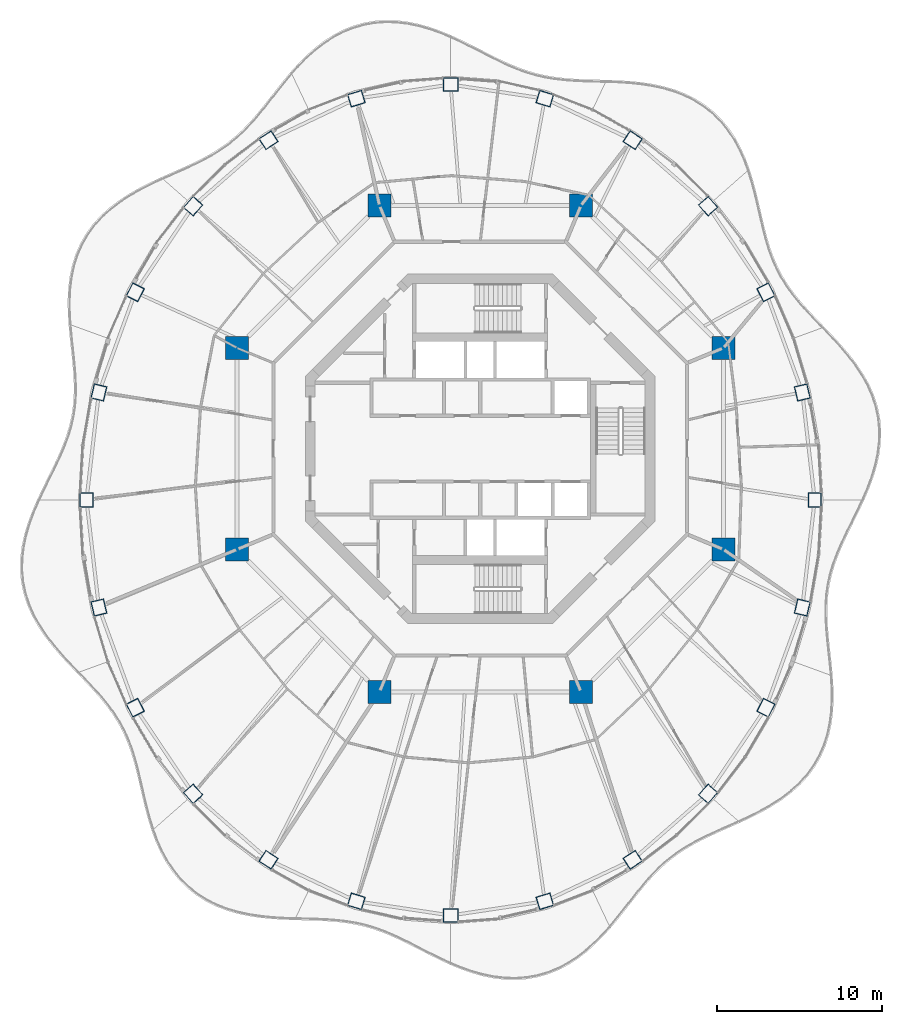
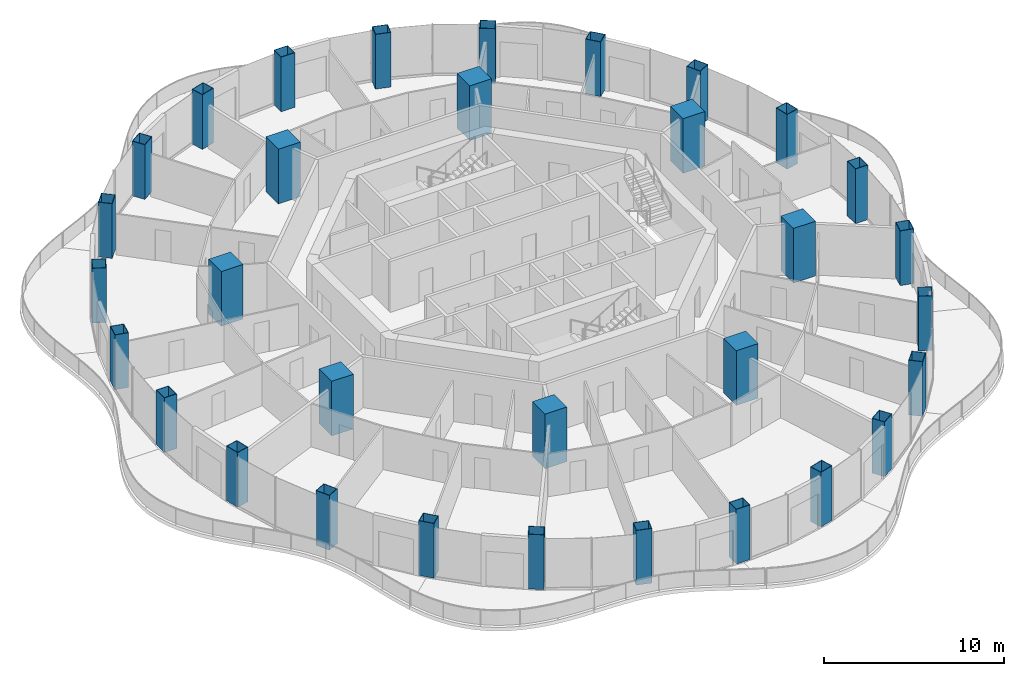
# One storey, part 1 of 17: 32 columns.
"""IFC4 building model written with IfcOpenShell, lengths in metres."""

from ifc_helpers import new_model, si_unit, direction, frame, origin, origin_2d, place, context, subcontext, project, spatial, rectangle, hollow_rectangle, extrude, material, material_profile, profile_set, type_object, element, save


model = new_model("IFC4")

# Units and contexts
model_context = context("Model", 3, precision=1e-05, world=origin(), true_north=direction((0.0, 1.0)))
body_context = subcontext(model_context, "Body", "Model", "MODEL_VIEW")
ifc_project = project(units=[si_unit("LENGTHUNIT", "METRE"), si_unit("AREAUNIT", "SQUARE_METRE"), si_unit("VOLUMEUNIT", "CUBIC_METRE"), si_unit("PLANEANGLEUNIT", "RADIAN"), si_unit("MASSUNIT", "GRAM", prefix="KILO")], contexts=[model_context])

# Site, building, storey
site_placement = place(None, origin())
site = spatial("IfcSite", under=ifc_project, at=site_placement, CompositionType="ELEMENT")
building_placement = place(site_placement, origin())
building = spatial("IfcBuilding", under=site, at=building_placement, Name="Nagisa Residences", CompositionType="ELEMENT")
storey_placement = place(building_placement, frame((0.0, 0.0, 280.699951171875)))
storey = spatial("IfcBuildingStorey", under=building, at=storey_placement, Name="L71", CompositionType="ELEMENT", Elevation=280.699951171875)

# Columns
ifc_material_1 = material(Name="Concrete C80", Category="concrete")
ifc_material_profile_1 = material_profile(ifc_material_1, rectangle(XDim=1.39990234375, YDim=1.39990234375, at=origin_2d()), Name="C80 1400x1400")
ifc_profile_set_1 = profile_set([ifc_material_profile_1], Name="Concrete C80")
column_type_1 = type_object("IfcColumnType", Name="Inner megacolumn C80 1400x1400", PredefinedType="COLUMN", material=ifc_profile_set_1)
for number, where, z_axis, x_axis, name in (
    (1, (14.781982421875, 6.123046875, 0.0), (0.0, 0.0, 1.0), (1.0, 0.0, 0.0), "col:L71:i1"),
    (2, (6.123046875, 14.781982421875, 0.0), (0.0, 0.0, 1.0), (1.0, 0.0, 0.0), "col:L71:i2"),
    (3, (-6.123046875, 14.781982421875, 0.0), (0.0, 0.0, 1.0), (1.0, 0.0, 0.0), "col:L71:i3"),
    (4, (-14.781982421875, 6.123046875, 0.0), (0.0, 0.0, 1.0), (1.0, 0.0, 0.0), "col:L71:i4"),
    (5, (-14.781982421875, -6.123046875, 0.0), (0.0, 0.0, 1.0), (1.0, 0.0, 0.0), "col:L71:i5"),
    (6, (-6.123046875, -14.781982421875, 0.0), (0.0, 0.0, 1.0), (1.0, 0.0, 0.0), "col:L71:i6"),
    (7, (6.123046875, -14.781982421875, 0.0), (0.0, 0.0, 1.0), (1.0, 0.0, 0.0), "col:L71:i7"),
    (8, (14.781982421875, -6.123046875, 0.0), (0.0, 0.0, 1.0), (1.0, 0.0, 0.0), "col:L71:i8"),
):
    element("IfcColumn", number, at=place(storey_placement, frame(where, z_axis=z_axis, x_axis=x_axis)), inside=storey, type_object=column_type_1, Name=name, PredefinedType="COLUMN", context=body_context, shape_type="SweptSolid", body=[
        extrude(rectangle(XDim=1.39990234375, YDim=1.39990234375, at=origin_2d()), origin(), (0.0, 0.0, 1.0), 3.699951171875),
    ])
ifc_material_2 = material(Name="Steel ASTM A572 Gr 50", Category="steel")
ifc_material_profile_2 = material_profile(ifc_material_2, hollow_rectangle(XDim=0.89990234375, YDim=0.800048828125, WallThickness=0.028076171875, at=origin_2d()), Name="BX 900x800x28")
ifc_profile_set_2 = profile_set([ifc_material_profile_2], Name="Steel ASTM A572 Gr 50")
column_type_2 = type_object("IfcColumnType", Name="Perimeter column BX 900x800x28", PredefinedType="COLUMN", material=ifc_profile_set_2)
for number, where, z_axis, x_axis, name in (
    (9, (20.320068359375, -3.11767578125, 0.0), (0.0, 0.0, 1.0), (0.0, 1.0, 0.0), "col:L71:p00"),
    (10, (19.566162109375, 3.414794921875, 0.0), (0.0, 0.0, 1.0), (-0.229202013103, 0.973378876486, 0.0), "col:L71:p01"),
    (11, (17.3564453125, 9.502197265625, 0.0), (0.0, 0.0, 1.0), (-0.452462697578, 0.891783329795, 0.0), "col:L71:p02"),
    (12, (13.84130859375, 14.729736328125, 0.0), (0.0, 0.0, 1.0), (-0.660114607735, 0.751164898445, 0.0), "col:L71:p03"),
    (13, (9.260009765625, 18.74072265625, 0.0), (0.0, 0.0, 1.0), (-0.835766105673, 0.54908561865, 0.0), "col:L71:p04"),
    (14, (3.925048828125, 21.26220703125, 0.0), (0.0, 0.0, 1.0), (-0.956524583408, 0.291651712384, 0.0), "col:L71:p05"),
    (15, (-1.800048828125, 22.122314453125, 0.0), (0.0, 0.0, 1.0), (-1.0, 0.0, 0.0), "col:L71:p06"),
    (16, (-7.525146484375, 21.26220703125, 0.0), (0.0, 0.0, 1.0), (-0.956524583408, -0.291651712384, 0.0), "col:L71:p07"),
    (17, (-12.860107421875, 18.74072265625, 0.0), (0.0, 0.0, 1.0), (-0.835766105673, -0.54908561865, 0.0), "col:L71:p08"),
    (18, (-17.441162109375, 14.729736328125, 0.0), (0.0, 0.0, 1.0), (-0.660114607735, -0.751164898445, 0.0), "col:L71:p09"),
    (19, (-20.95654296875, 9.502197265625, 0.0), (0.0, 0.0, 1.0), (-0.452462697578, -0.891783329795, 0.0), "col:L71:p10"),
    (20, (-23.166259765625, 3.414794921875, 0.0), (0.0, 0.0, 1.0), (-0.229202013103, -0.973378876486, 0.0), "col:L71:p11"),
    (21, (-23.919921875, -3.11767578125, 0.0), (0.0, 0.0, 1.0), (0.0, -1.0, 0.0), "col:L71:p12"),
    (22, (-23.166259765625, -9.650390625, 0.0), (0.0, 0.0, 1.0), (0.229202013103, -0.973378876486, 0.0), "col:L71:p13"),
    (23, (-20.95654296875, -15.73779296875, 0.0), (0.0, 0.0, 1.0), (0.452462697578, -0.891783329795, 0.0), "col:L71:p14"),
    (24, (-17.441162109375, -20.965087890625, 0.0), (0.0, 0.0, 1.0), (0.660114607735, -0.751164898445, 0.0), "col:L71:p15"),
    (25, (-12.860107421875, -24.97607421875, 0.0), (0.0, 0.0, 1.0), (0.835766105673, -0.54908561865, 0.0), "col:L71:p16"),
    (26, (-7.525146484375, -27.49755859375, 0.0), (0.0, 0.0, 1.0), (0.956524583408, -0.291651712384, 0.0), "col:L71:p17"),
    (27, (-1.800048828125, -28.357666015625, 0.0), (0.0, 0.0, 1.0), (1.0, 0.0, 0.0), "col:L71:p18"),
    (28, (3.925048828125, -27.49755859375, 0.0), (0.0, 0.0, 1.0), (0.956524583408, 0.291651712384, 0.0), "col:L71:p19"),
    (29, (9.260009765625, -24.97607421875, 0.0), (0.0, 0.0, 1.0), (0.835766105673, 0.54908561865, 0.0), "col:L71:p20"),
    (30, (13.84130859375, -20.965087890625, 0.0), (0.0, 0.0, 1.0), (0.660114607735, 0.751164898445, 0.0), "col:L71:p21"),
    (31, (17.3564453125, -15.73779296875, 0.0), (0.0, 0.0, 1.0), (0.452462697578, 0.891783329795, 0.0), "col:L71:p22"),
    (32, (19.566162109375, -9.650390625, 0.0), (0.0, 0.0, 1.0), (0.229202013103, 0.973378876486, 0.0), "col:L71:p23"),
):
    element("IfcColumn", number, at=place(storey_placement, frame(where, z_axis=z_axis, x_axis=x_axis)), inside=storey, type_object=column_type_2, Name=name, PredefinedType="COLUMN", context=body_context, shape_type="SweptSolid", body=[
        extrude(hollow_rectangle(XDim=0.89990234375, YDim=0.800048828125, WallThickness=0.028076171875, at=origin_2d()), origin(), (0.0, 0.0, 1.0), 3.699951171875),
    ])

save(model, "model.ifc")
